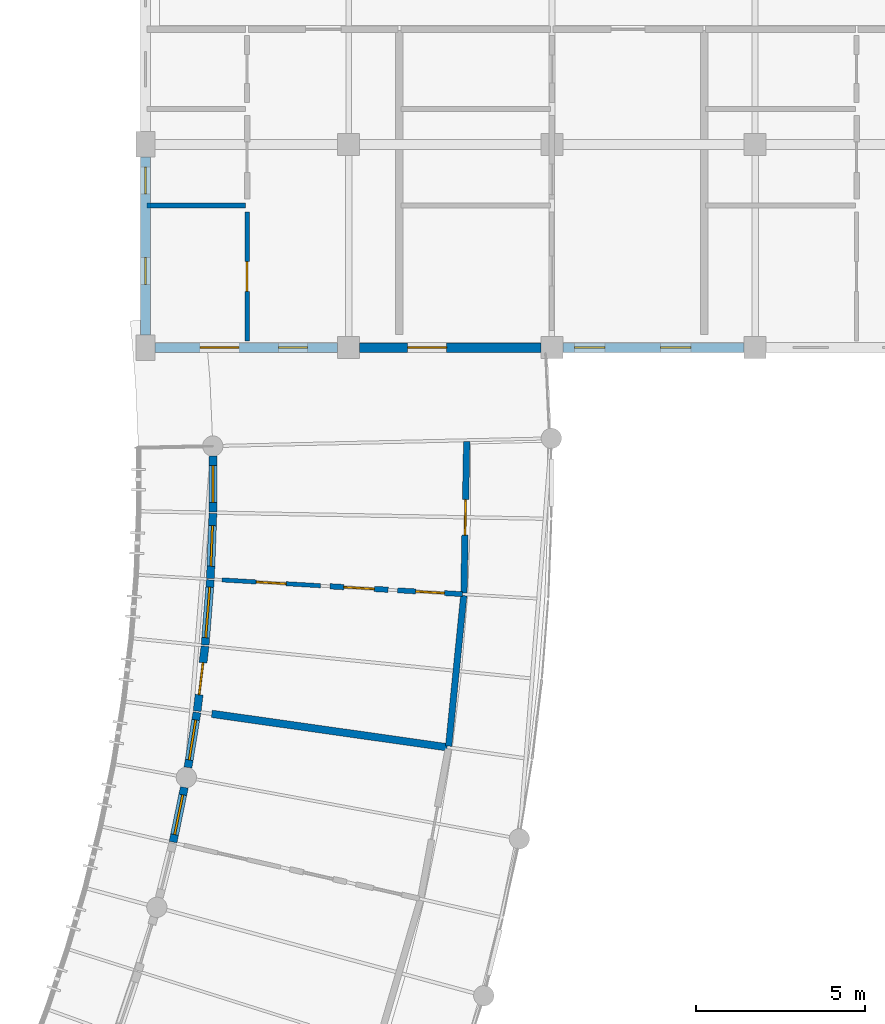
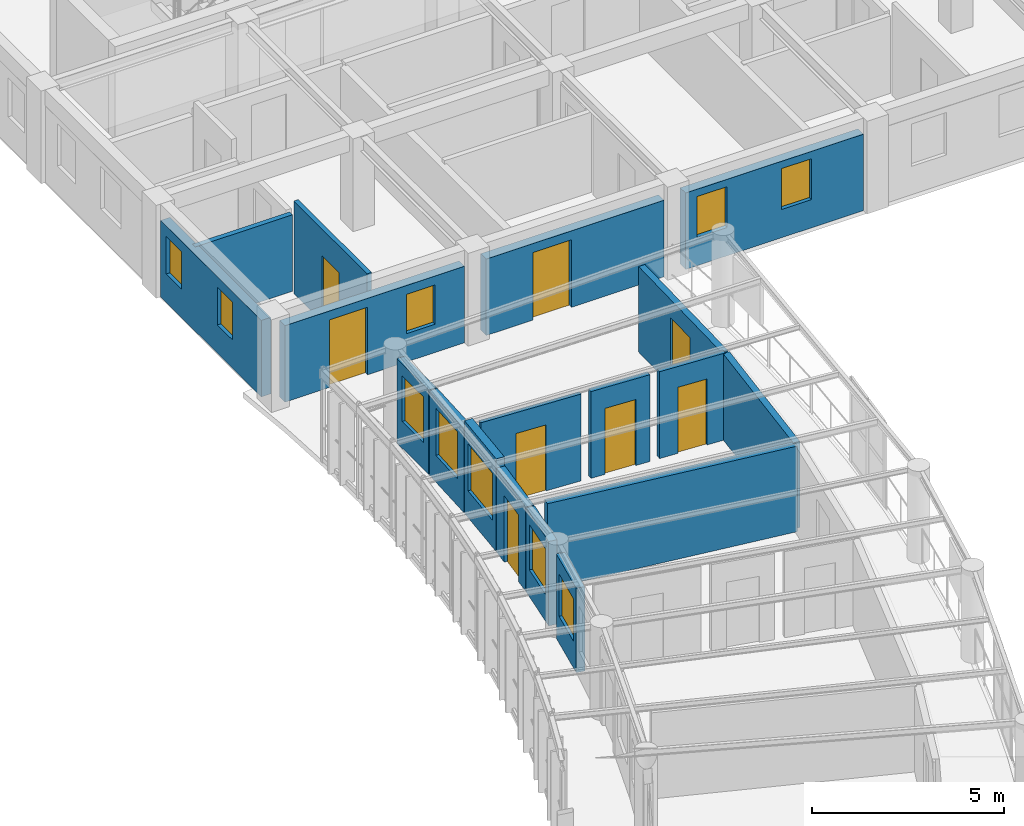
# One storey, part 67 of 100: 18 walls, 10 windows, 8 doors, 18 openings.
"""IFC4 building model written with IfcOpenShell, lengths in metres."""

from ifc_helpers import new_model, si_unit, direction, frame, frame_2d, origin, place, context, subcontext, project, spatial, rectangle, extrude, material, layer, layer_set, type_object, element, fill, save


model = new_model("IFC4")

# Units and contexts
model_context = context("Model", 3, precision=1e-05, world=origin(), true_north=direction((0.0, 1.0)))
body_context = subcontext(model_context, "Body", "Model", "MODEL_VIEW")
ifc_project = project(units=[si_unit("LENGTHUNIT", "METRE"), si_unit("AREAUNIT", "SQUARE_METRE"), si_unit("VOLUMEUNIT", "CUBIC_METRE"), si_unit("PLANEANGLEUNIT", "RADIAN"), si_unit("MASSUNIT", "GRAM", prefix="KILO"), si_unit("POWERUNIT", "WATT"), si_unit("THERMODYNAMICTEMPERATUREUNIT", "KELVIN")], contexts=[model_context])

# Site, building, storey
site_placement = place(None, origin())
site = spatial("IfcSite", under=ifc_project, at=site_placement, CompositionType="ELEMENT")
building_placement = place(site_placement, origin())
building = spatial("IfcBuilding", under=site, at=building_placement, Name="Ruvembo Vaulted Housing Court", CompositionType="ELEMENT")
storey_placement = place(building_placement, frame((0.0, 0.0, 14.10009765625)))
storey = spatial("IfcBuildingStorey", under=building, at=storey_placement, Name="L04", CompositionType="ELEMENT", Elevation=14.10009765625)

# Wall
ifc_material_1 = material(Name="Concrete Blockwork 190", Category="masonry")
ifc_layer_1 = layer(ifc_material_1, 0.18994140625, Name="Concrete Blockwork 190")
ifc_layer_set_1 = layer_set([ifc_layer_1], Name="Concrete Blockwork 190")
wall_type_1 = type_object("IfcWallType", Name="WL-CORR-190", PredefinedType="SOLIDWALL", material=ifc_layer_set_1)
wall_1_placement = place(storey_placement, frame((56.9521484375, 66.232421875, 0.0), z_axis=(0.0, 0.0, 1.0), x_axis=(0.099963674738, 0.994991087263, 0.0)))
element("IfcWall", 1, at=wall_1_placement, inside=storey, type_object=wall_type_1, Name="L04 Suite SC1-L04-U4 Gallery Wall WL-INT-L04-01305", PredefinedType="SOLIDWALL", context=body_context, shape_type="SweptSolid", body=[
    extrude(rectangle(XDim=4.467041015625, YDim=0.18994140625, at=frame_2d((2.2333984375, 0.0))), origin(), (0.0, 0.0, 1.0), 2.741943359375),
])

# Wall, opening, door
wall_2_placement = place(storey_placement, frame((57.403564453125, 70.7568359375, 0.0), z_axis=(0.0, 0.0, 1.0), x_axis=(0.018198680075, 0.999834390308, 0.0)))
wall_2 = element("IfcWall", 2, at=wall_2_placement, inside=storey, type_object=wall_type_1, Name="L04 Suite SC1-L04-U4 Entrance WL-INT-L04-01306", PredefinedType="SOLIDWALL", context=body_context, shape_type="SweptSolid", body=[
    extrude(rectangle(XDim=4.46728515625, YDim=0.18994140625, at=frame_2d((2.233642578125, 0.0))), origin(), (0.0, 0.0, 1.0), 2.721923828125),
])
opening_1_placement = place(wall_2_placement, frame((1.70849609375, 0.0, 0.0)))
opening_1 = element("IfcOpeningElement", 3, at=opening_1_placement, cuts=wall_2, Name="Opening FD3", PredefinedType="OPENING", context=body_context, shape_type="SweptSolid", body=[
    extrude(rectangle(XDim=1.050048828125, YDim=2.14990234375, at=frame_2d((0.52490234375, 1.074951171875))), frame((0.0, 0.10498046875, 0.0), z_axis=(0.0, -1.0, 0.0), x_axis=(1.0, 0.0, 0.0)), (0.0, 0.0, 1.0), 0.2099609375),
])
ifc_material_2 = material(Name="FSC Hardwood and Engineered Timber", Category="wood")
door_type_1 = type_object("IfcDoorType", Name="DR-FLAT-1050x2150", OperationType="NOTDEFINED", PredefinedType="DOOR", material=ifc_material_2)
door_1_placement = place(opening_1_placement, origin())
door_1 = element("IfcDoor", 4, at=door_1_placement, inside=storey, type_object=door_type_1, Name="L04 Suite SC1-L04-U4 Entrance Door DR-INT-L04-00728", OperationType="SINGLE_SWING_RIGHT", OverallHeight=2.14990234375, OverallWidth=1.050048828125, PredefinedType="DOOR", context=body_context, shape_type="SweptSolid", body=[
    extrude(rectangle(XDim=1.050048828125, YDim=2.14990234375, at=frame_2d((0.52490234375, 1.074951171875))), frame((0.0, 0.02490234375, 0.0), z_axis=(0.0, -1.0, 0.0), x_axis=(1.0, 0.0, 0.0)), (0.0, 0.0, 1.0), 0.050048828125),
])
fill(opening_1, door_1)

# Wall
ifc_material_3 = material(Name="Acoustic Masonry Demising 220", Category="masonry")
ifc_layer_2 = layer(ifc_material_3, 0.219970703125, Name="Acoustic Masonry Demising 220")
ifc_layer_set_2 = layer_set([ifc_layer_2], Name="Acoustic Masonry Demising 220")
wall_type_2 = type_object("IfcWallType", Name="WL-DEM-200", PredefinedType="SOLIDWALL", material=ifc_layer_set_2)
wall_3_placement = place(storey_placement, frame((49.958251953125, 67.185791015625, 0.0), z_axis=(0.0, 0.0, 1.0), x_axis=(0.990050789243, -0.140710464145, 0.0)))
element("IfcWall", 5, at=wall_3_placement, inside=storey, type_object=wall_type_2, Name="L04 Suite SC1-L04-U3 Demising WL-INT-L04-01304", PredefinedType="SOLIDWALL", context=body_context, shape_type="SweptSolid", body=[
    extrude(rectangle(XDim=7.02001953125, YDim=0.219970703125, at=frame_2d((3.510009765625, 0.0))), origin(), (0.0, 0.0, 1.0), 2.721923828125),
])

# Wall, opening, window
ifc_material_4 = material(Name="Rendered Masonry 235", Category="masonry")
ifc_layer_3 = layer(ifc_material_4, 0.235107421875, Name="Rendered Masonry 235")
ifc_layer_set_3 = layer_set([ifc_layer_3], Name="Rendered Masonry 235")
wall_type_3 = type_object("IfcWallType", Name="WL-EXT-235", PredefinedType="STANDARD", material=ifc_layer_set_3)
wall_4_placement = place(storey_placement, frame((48.814453125, 63.3994140625, 0.0), z_axis=(0.0, 0.0, 1.0), x_axis=(0.201188555682, 0.97955253308, 0.0)))
wall_4 = element("IfcWall", 6, at=wall_4_placement, inside=storey, type_object=wall_type_3, Name="Scoop SC1 L04 Concave Balcony Wall 13", PredefinedType="STANDARD", context=body_context, shape_type="SweptSolid", body=[
    extrude(rectangle(XDim=1.646728515625, YDim=0.235107421875, at=frame_2d((0.8232421875, 0.0))), origin(), (0.0, 0.0, 1.0), 2.683837890625),
])
opening_2_placement = place(wall_4_placement, frame((0.223388671875, 0.0, 0.85009765625)))
opening_2 = element("IfcOpeningElement", 7, at=opening_2_placement, cuts=wall_4, Name="Opening W12", PredefinedType="OPENING", context=body_context, shape_type="SweptSolid", body=[
    extrude(rectangle(XDim=1.199951171875, YDim=1.35009765625, at=frame_2d((0.60009765625, 0.675048828125))), frame((0.0, 0.12744140625, 0.0), z_axis=(0.0, -1.0, 0.0), x_axis=(1.0, 0.0, 0.0)), (0.0, 0.0, 1.0), 0.255126953125),
])
ifc_material_5 = material(Name="Double Solar-Control Glazing in Aluminium Frame", Category="aluminium")
window_type_1 = type_object("IfcWindowType", Name="WIN-1200x1350", PartitioningType="SINGLE_PANEL", PredefinedType="WINDOW", material=ifc_material_5)
window_1_placement = place(opening_2_placement, origin())
window_1 = element("IfcWindow", 8, at=window_1_placement, inside=storey, type_object=window_type_1, Name="Scoop SC1 L04 Concave Window 13", OverallHeight=1.35009765625, OverallWidth=1.199951171875, PartitioningType="SINGLE_PANEL", PredefinedType="WINDOW", context=body_context, shape_type="SweptSolid", body=[
    extrude(rectangle(XDim=1.199951171875, YDim=1.35009765625, at=frame_2d((0.60009765625, 0.675048828125))), frame((0.0, 0.030029296875, 0.0), z_axis=(0.0, -1.0, 0.0), x_axis=(1.0, 0.0, 0.0)), (0.0, 0.0, 1.0), 0.06005859375),
])
fill(opening_2, window_1)

wall_5_placement = place(storey_placement, frame((49.25439453125, 65.6025390625, 0.0), z_axis=(0.0, 0.0, 1.0), x_axis=(0.161008118798, 0.986953081803, 0.0)))
wall_5 = element("IfcWall", 9, at=wall_5_placement, inside=storey, type_object=wall_type_3, Name="Scoop SC1 L04 Concave Balcony Wall 14", PredefinedType="STANDARD", context=body_context, shape_type="SweptSolid", body=[
    extrude(rectangle(XDim=1.646728515625, YDim=0.235107421875, at=frame_2d((0.8232421875, 0.0))), origin(), (0.0, 0.0, 1.0), 2.683837890625),
])
opening_3_placement = place(wall_5_placement, frame((0.223388671875, 0.0, 0.85009765625)))
opening_3 = element("IfcOpeningElement", 10, at=opening_3_placement, cuts=wall_5, Name="Opening W13", PredefinedType="OPENING", context=body_context, shape_type="SweptSolid", body=[
    extrude(rectangle(XDim=1.199951171875, YDim=1.449951171875, at=frame_2d((0.60009765625, 0.72509765625))), frame((0.0, 0.12744140625, 0.0), z_axis=(0.0, -1.0, 0.0), x_axis=(1.0, 0.0, 0.0)), (0.0, 0.0, 1.0), 0.255126953125),
])
window_type_2 = type_object("IfcWindowType", Name="WIN-1200x1450", PartitioningType="SINGLE_PANEL", PredefinedType="WINDOW", material=ifc_material_5)
window_2_placement = place(opening_3_placement, origin())
window_2 = element("IfcWindow", 11, at=window_2_placement, inside=storey, type_object=window_type_2, Name="Scoop SC1 L04 Concave Window 14", OverallHeight=1.449951171875, OverallWidth=1.199951171875, PartitioningType="SINGLE_PANEL", PredefinedType="WINDOW", context=body_context, shape_type="SweptSolid", body=[
    extrude(rectangle(XDim=1.199951171875, YDim=1.449951171875, at=frame_2d((0.60009765625, 0.72509765625))), frame((0.0, 0.030029296875, 0.0), z_axis=(0.0, -1.0, 0.0), x_axis=(1.0, 0.0, 0.0)), (0.0, 0.0, 1.0), 0.06005859375),
])
fill(opening_3, window_2)

# Wall, opening, door
wall_6_placement = place(storey_placement, frame((49.525146484375, 67.267578125, 0.0), z_axis=(0.0, 0.0, 1.0), x_axis=(0.120384349076, 0.992727358592, 0.0)))
wall_6 = element("IfcWall", 12, at=wall_6_placement, inside=storey, type_object=wall_type_3, Name="Scoop SC1 L04 Concave Balcony Wall 15", PredefinedType="STANDARD", context=body_context, shape_type="SweptSolid", body=[
    extrude(rectangle(XDim=1.926513671875, YDim=0.235107421875, at=frame_2d((0.96337890625, 0.0))), origin(), (0.0, 0.0, 1.0), 2.683837890625),
])
opening_4_placement = place(wall_6_placement, frame((0.48828125, 0.0, 0.0)))
opening_4 = element("IfcOpeningElement", 13, at=opening_4_placement, cuts=wall_6, Name="Opening BD0", PredefinedType="OPENING", context=body_context, shape_type="SweptSolid", body=[
    extrude(rectangle(XDim=0.949951171875, YDim=2.1201171875, at=frame_2d((0.47509765625, 1.06005859375))), frame((0.0, 0.12744140625, 0.0), z_axis=(0.0, -1.0, 0.0), x_axis=(1.0, 0.0, 0.0)), (0.0, 0.0, 1.0), 0.255126953125),
])
ifc_material_6 = material(Name="Thermally Broken Glazed Aluminium", Category="aluminium")
door_type_2 = type_object("IfcDoorType", Name="DR-BAL-0950x2120", OperationType="NOTDEFINED", PredefinedType="DOOR", material=ifc_material_6)
door_2_placement = place(opening_4_placement, origin())
door_2 = element("IfcDoor", 14, at=door_2_placement, inside=storey, type_object=door_type_2, Name="Scoop SC1 L04 Balcony Door 15", OperationType="SINGLE_SWING_LEFT", OverallHeight=2.1201171875, OverallWidth=0.949951171875, PredefinedType="DOOR", context=body_context, shape_type="SweptSolid", body=[
    extrude(rectangle(XDim=0.949951171875, YDim=2.1201171875, at=frame_2d((0.47509765625, 1.06005859375))), frame((0.0, 0.02490234375, 0.0), z_axis=(0.0, -1.0, 0.0), x_axis=(1.0, 0.0, 0.0)), (0.0, 0.0, 1.0), 0.050048828125),
])
fill(opening_4, door_2)

# Wall, opening, window
wall_7_placement = place(storey_placement, frame((49.760986328125, 69.219970703125, 0.0), z_axis=(0.0, 0.0, 1.0), x_axis=(0.079573991137, 0.996828962227, 0.0)))
wall_7 = element("IfcWall", 15, at=wall_7_placement, inside=storey, type_object=wall_type_3, Name="Scoop SC1 L04 Concave Balcony Wall 16", PredefinedType="STANDARD", context=body_context, shape_type="SweptSolid", body=[
    extrude(rectangle(XDim=1.9267578125, YDim=0.235107421875, at=frame_2d((0.96337890625, 0.0))), origin(), (0.0, 0.0, 1.0), 2.947998046875),
])
opening_5_placement = place(wall_7_placement, frame((0.21337890625, 0.0, 0.85009765625)))
opening_5 = element("IfcOpeningElement", 16, at=opening_5_placement, cuts=wall_7, Name="Opening W19", PredefinedType="OPENING", context=body_context, shape_type="SweptSolid", body=[
    extrude(rectangle(XDim=1.5, YDim=1.5, at=frame_2d((0.75, 0.75))), frame((0.0, 0.12744140625, 0.0), z_axis=(0.0, -1.0, 0.0), x_axis=(1.0, 0.0, 0.0)), (0.0, 0.0, 1.0), 0.255126953125),
])
window_type_3 = type_object("IfcWindowType", Name="WIN-1500x1500", PartitioningType="SINGLE_PANEL", PredefinedType="WINDOW", material=ifc_material_5)
window_3_placement = place(opening_5_placement, origin())
window_3 = element("IfcWindow", 17, at=window_3_placement, inside=storey, type_object=window_type_3, Name="Scoop SC1 L04 Concave Window 16", OverallHeight=1.5, OverallWidth=1.5, PartitioningType="SINGLE_PANEL", PredefinedType="WINDOW", context=body_context, shape_type="SweptSolid", body=[
    extrude(rectangle(XDim=1.5, YDim=1.5, at=frame_2d((0.75, 0.75))), frame((0.0, 0.030029296875, 0.0), z_axis=(0.0, -1.0, 0.0), x_axis=(1.0, 0.0, 0.0)), (0.0, 0.0, 1.0), 0.06005859375),
])
fill(opening_5, window_3)

wall_8_placement = place(storey_placement, frame((49.916748046875, 71.1806640625, 0.0), z_axis=(0.0, 0.0, 1.0), x_axis=(0.038647240614, 0.999252916329, 0.0)))
wall_8 = element("IfcWall", 18, at=wall_8_placement, inside=storey, type_object=wall_type_3, Name="Scoop SC1 L04 Concave Balcony Wall 17", PredefinedType="STANDARD", context=body_context, shape_type="SweptSolid", body=[
    extrude(rectangle(XDim=1.9267578125, YDim=0.235107421875, at=frame_2d((0.96337890625, 0.0))), origin(), (0.0, 0.0, 1.0), 2.683837890625),
])
opening_6_placement = place(wall_8_placement, frame((0.36328125, 0.0, 0.85009765625)))
opening_6 = element("IfcOpeningElement", 19, at=opening_6_placement, cuts=wall_8, Name="Opening W14", PredefinedType="OPENING", context=body_context, shape_type="SweptSolid", body=[
    extrude(rectangle(XDim=1.199951171875, YDim=1.5, at=frame_2d((0.60009765625, 0.75))), frame((0.0, 0.12744140625, 0.0), z_axis=(0.0, -1.0, 0.0), x_axis=(1.0, 0.0, 0.0)), (0.0, 0.0, 1.0), 0.255126953125),
])
window_type_4 = type_object("IfcWindowType", Name="WIN-1200x1500", PartitioningType="SINGLE_PANEL", PredefinedType="WINDOW", material=ifc_material_5)
window_4_placement = place(opening_6_placement, origin())
window_4 = element("IfcWindow", 20, at=window_4_placement, inside=storey, type_object=window_type_4, Name="Scoop SC1 L04 Concave Window 17", OverallHeight=1.5, OverallWidth=1.199951171875, PartitioningType="SINGLE_PANEL", PredefinedType="WINDOW", context=body_context, shape_type="SweptSolid", body=[
    extrude(rectangle(XDim=1.199951171875, YDim=1.5, at=frame_2d((0.60009765625, 0.75))), frame((0.0, 0.030029296875, 0.0), z_axis=(0.0, -1.0, 0.0), x_axis=(1.0, 0.0, 0.0)), (0.0, 0.0, 1.0), 0.06005859375),
])
fill(opening_6, window_4)

wall_9_placement = place(storey_placement, frame((49.991943359375, 73.14599609375, 0.0), z_axis=(0.0, 0.0, 1.0), x_axis=(-0.002224193787, 0.999997526478, 0.0)))
wall_9 = element("IfcWall", 21, at=wall_9_placement, inside=storey, type_object=wall_type_3, Name="Scoop SC1 L04 Concave Balcony Wall 18", PredefinedType="STANDARD", context=body_context, shape_type="SweptSolid", body=[
    extrude(rectangle(XDim=1.646484375, YDim=0.235107421875, at=frame_2d((0.8232421875, 0.0))), origin(), (0.0, 0.0, 1.0), 2.683837890625),
])
opening_7_placement = place(wall_9_placement, frame((0.2734375, 0.0, 0.85009765625)))
opening_7 = element("IfcOpeningElement", 22, at=opening_7_placement, cuts=wall_9, Name="Opening W10", PredefinedType="OPENING", context=body_context, shape_type="SweptSolid", body=[
    extrude(rectangle(XDim=1.10009765625, YDim=1.449951171875, at=frame_2d((0.550048828125, 0.72509765625))), frame((0.0, 0.12744140625, 0.0), z_axis=(0.0, -1.0, 0.0), x_axis=(1.0, 0.0, 0.0)), (0.0, 0.0, 1.0), 0.255126953125),
])
window_type_5 = type_object("IfcWindowType", Name="WIN-1100x1450", PartitioningType="SINGLE_PANEL", PredefinedType="WINDOW", material=ifc_material_5)
window_5_placement = place(opening_7_placement, origin())
window_5 = element("IfcWindow", 23, at=window_5_placement, inside=storey, type_object=window_type_5, Name="Scoop SC1 L04 Concave Window 18", OverallHeight=1.449951171875, OverallWidth=1.10009765625, PartitioningType="SINGLE_PANEL", PredefinedType="WINDOW", context=body_context, shape_type="SweptSolid", body=[
    extrude(rectangle(XDim=1.10009765625, YDim=1.449951171875, at=frame_2d((0.550048828125, 0.72509765625))), frame((0.0, 0.030029296875, 0.0), z_axis=(0.0, -1.0, 0.0), x_axis=(1.0, 0.0, 0.0)), (0.0, 0.0, 1.0), 0.06005859375),
])
fill(opening_7, window_5)

# Wall, openings, door, window
ifc_material_7 = material(Name="Rendered Masonry 285", Category="masonry")
ifc_layer_4 = layer(ifc_material_7, 0.284912109375, Name="Rendered Masonry 285")
ifc_layer_set_4 = layer_set([ifc_layer_4], Name="Rendered Masonry 285")
wall_type_4 = type_object("IfcWallType", Name="WL-EXT-285", PredefinedType="STANDARD", material=ifc_layer_set_4)
wall_10_placement = place(storey_placement, frame((48.27490234375, 78.0, 0.0), z_axis=(0.0, 0.0, 1.0), x_axis=(1.0, 0.0, 0.0)))
wall_10 = element("IfcWall", 24, at=wall_10_placement, inside=storey, type_object=wall_type_4, Name="Block B L04 Exterior Wall COURTYARD #1", PredefinedType="STANDARD", context=body_context, shape_type="SweptSolid", body=[
    extrude(rectangle(XDim=5.400146484375, YDim=0.284912109375, at=frame_2d((2.7001953125, 0.0))), origin(), (0.0, 0.0, 1.0), 2.431884765625),
])
opening_8_placement = place(wall_10_placement, frame((1.3349609375, 0.0, 0.0)))
opening_8 = element("IfcOpeningElement", 25, at=opening_8_placement, cuts=wall_10, Name="Opening GD1", PredefinedType="OPENING", context=body_context, shape_type="SweptSolid", body=[
    extrude(rectangle(XDim=1.14990234375, YDim=2.14990234375, at=frame_2d((0.574951171875, 1.074951171875))), frame((0.0, 0.15234375, 0.0), z_axis=(0.0, -1.0, 0.0), x_axis=(1.0, 0.0, 0.0)), (0.0, 0.0, 1.0), 0.304931640625),
])
opening_9_placement = place(wall_10_placement, frame((3.657470703125, 0.0, 0.89990234375)))
opening_9 = element("IfcOpeningElement", 26, at=opening_9_placement, cuts=wall_10, Name="Opening W03", PredefinedType="OPENING", context=body_context, shape_type="SweptSolid", body=[
    extrude(rectangle(XDim=0.85009765625, YDim=1.25, at=frame_2d((0.425048828125, 0.625))), frame((0.0, 0.15234375, 0.0), z_axis=(0.0, -1.0, 0.0), x_axis=(1.0, 0.0, 0.0)), (0.0, 0.0, 1.0), 0.304931640625),
])
door_type_3 = type_object("IfcDoorType", Name="DR-GAL-1150x2150", OperationType="NOTDEFINED", PredefinedType="DOOR", material=ifc_material_6)
door_3_placement = place(opening_8_placement, frame((1.14990234375, 0.0, 0.0), z_axis=(0.0, 0.0, 1.0), x_axis=(-1.0, 0.0, 0.0)))
door_3 = element("IfcDoor", 27, at=door_3_placement, inside=storey, type_object=door_type_3, Name="Block B L04 Terrace or Gallery Door DR-TER-B-L04-039", OperationType="SINGLE_SWING_RIGHT", OverallHeight=2.14990234375, OverallWidth=1.14990234375, PredefinedType="DOOR", context=body_context, shape_type="SweptSolid", body=[
    extrude(rectangle(XDim=1.14990234375, YDim=2.14990234375, at=frame_2d((0.574951171875, 1.074951171875))), frame((0.0, 0.02490234375, 0.0), z_axis=(0.0, -1.0, 0.0), x_axis=(1.0, 0.0, 0.0)), (0.0, 0.0, 1.0), 0.050048828125),
])
fill(opening_8, door_3)
window_type_6 = type_object("IfcWindowType", Name="WIN-0850x1250", PartitioningType="SINGLE_PANEL", PredefinedType="WINDOW", material=ifc_material_5)
window_6_placement = place(opening_9_placement, origin())
window_6 = element("IfcWindow", 28, at=window_6_placement, inside=storey, type_object=window_type_6, Name="Block B L04 Window #769", OverallHeight=1.25, OverallWidth=0.85009765625, PartitioningType="SINGLE_PANEL", PredefinedType="WINDOW", context=body_context, shape_type="SweptSolid", body=[
    extrude(rectangle(XDim=0.85009765625, YDim=1.25, at=frame_2d((0.425048828125, 0.625))), frame((0.0, 0.030029296875, 0.0), z_axis=(0.0, -1.0, 0.0), x_axis=(1.0, 0.0, 0.0)), (0.0, 0.0, 1.0), 0.06005859375),
])
fill(opening_9, window_6)

# Wall, opening, door
wall_11_placement = place(storey_placement, frame((54.324951171875, 78.0, 0.0), z_axis=(0.0, 0.0, 1.0), x_axis=(1.0, 0.0, 0.0)))
wall_11 = element("IfcWall", 29, at=wall_11_placement, inside=storey, type_object=wall_type_4, Name="Block B L04 Exterior Wall COURTYARD #2", PredefinedType="STANDARD", context=body_context, shape_type="SweptSolid", body=[
    extrude(rectangle(XDim=5.35009765625, YDim=0.284912109375, at=frame_2d((2.675048828125, 0.0))), origin(), (0.0, 0.0, 1.0), 2.431884765625),
])
opening_10_placement = place(wall_11_placement, frame((1.4150390625, 0.0, 0.0)))
opening_10 = element("IfcOpeningElement", 30, at=opening_10_placement, cuts=wall_11, Name="Opening GD1", PredefinedType="OPENING", context=body_context, shape_type="SweptSolid", body=[
    extrude(rectangle(XDim=1.14990234375, YDim=2.14990234375, at=frame_2d((0.574951171875, 1.074951171875))), frame((0.0, 0.15234375, 0.0), z_axis=(0.0, -1.0, 0.0), x_axis=(1.0, 0.0, 0.0)), (0.0, 0.0, 1.0), 0.304931640625),
])
door_4_placement = place(opening_10_placement, frame((1.14990234375, 0.0, 0.0), z_axis=(0.0, 0.0, 1.0), x_axis=(-1.0, 0.0, 0.0)))
door_4 = element("IfcDoor", 31, at=door_4_placement, inside=storey, type_object=door_type_3, Name="Block B L04 Terrace or Gallery Door DR-TER-B-L04-040", OperationType="SINGLE_SWING_LEFT", OverallHeight=2.14990234375, OverallWidth=1.14990234375, PredefinedType="DOOR", context=body_context, shape_type="SweptSolid", body=[
    extrude(rectangle(XDim=1.14990234375, YDim=2.14990234375, at=frame_2d((0.574951171875, 1.074951171875))), frame((0.0, 0.02490234375, 0.0), z_axis=(0.0, -1.0, 0.0), x_axis=(1.0, 0.0, 0.0)), (0.0, 0.0, 1.0), 0.050048828125),
])
fill(opening_10, door_4)

# Wall, openings, windows
wall_12_placement = place(storey_placement, frame((60.324951171875, 78.0, 0.0), z_axis=(0.0, 0.0, 1.0), x_axis=(1.0, 0.0, 0.0)))
wall_12 = element("IfcWall", 32, at=wall_12_placement, inside=storey, type_object=wall_type_4, Name="Block B L04 Exterior Wall COURTYARD #3", PredefinedType="STANDARD", context=body_context, shape_type="SweptSolid", body=[
    extrude(rectangle(XDim=5.35009765625, YDim=0.284912109375, at=frame_2d((2.675048828125, 0.0))), origin(), (0.0, 0.0, 1.0), 2.431884765625),
])
opening_11_placement = place(wall_12_placement, frame((0.35009765625, 0.0, 0.89990234375)))
opening_11 = element("IfcOpeningElement", 33, at=opening_11_placement, cuts=wall_12, Name="Opening W04", PredefinedType="OPENING", context=body_context, shape_type="SweptSolid", body=[
    extrude(rectangle(XDim=0.89990234375, YDim=1.300048828125, at=frame_2d((0.449951171875, 0.64990234375))), frame((0.0, 0.15234375, 0.0), z_axis=(0.0, -1.0, 0.0), x_axis=(1.0, 0.0, 0.0)), (0.0, 0.0, 1.0), 0.304931640625),
])
opening_12_placement = place(wall_12_placement, frame((2.885009765625, 0.0, 0.89990234375)))
opening_12 = element("IfcOpeningElement", 34, at=opening_12_placement, cuts=wall_12, Name="Opening W04", PredefinedType="OPENING", context=body_context, shape_type="SweptSolid", body=[
    extrude(rectangle(XDim=0.89990234375, YDim=1.300048828125, at=frame_2d((0.449951171875, 0.64990234375))), frame((0.0, 0.15234375, 0.0), z_axis=(0.0, -1.0, 0.0), x_axis=(1.0, 0.0, 0.0)), (0.0, 0.0, 1.0), 0.304931640625),
])
window_type_7 = type_object("IfcWindowType", Name="WIN-0900x1300", PartitioningType="SINGLE_PANEL", PredefinedType="WINDOW", material=ifc_material_5)
window_7_placement = place(opening_11_placement, origin())
window_7 = element("IfcWindow", 35, at=window_7_placement, inside=storey, type_object=window_type_7, Name="Block B L04 Window #770", OverallHeight=1.300048828125, OverallWidth=0.89990234375, PartitioningType="SINGLE_PANEL", PredefinedType="WINDOW", context=body_context, shape_type="SweptSolid", body=[
    extrude(rectangle(XDim=0.89990234375, YDim=1.300048828125, at=frame_2d((0.449951171875, 0.64990234375))), frame((0.0, 0.030029296875, 0.0), z_axis=(0.0, -1.0, 0.0), x_axis=(1.0, 0.0, 0.0)), (0.0, 0.0, 1.0), 0.06005859375),
])
fill(opening_11, window_7)
window_8_placement = place(opening_12_placement, origin())
window_8 = element("IfcWindow", 36, at=window_8_placement, inside=storey, type_object=window_type_7, Name="Block B L04 Window #771", OverallHeight=1.300048828125, OverallWidth=0.89990234375, PartitioningType="SINGLE_PANEL", PredefinedType="WINDOW", context=body_context, shape_type="SweptSolid", body=[
    extrude(rectangle(XDim=0.89990234375, YDim=1.300048828125, at=frame_2d((0.449951171875, 0.64990234375))), frame((0.0, 0.030029296875, 0.0), z_axis=(0.0, -1.0, 0.0), x_axis=(1.0, 0.0, 0.0)), (0.0, 0.0, 1.0), 0.06005859375),
])
fill(opening_12, window_8)

wall_13_placement = place(storey_placement, frame((48.0, 83.625, 0.0), z_axis=(0.0, 0.0, 1.0), x_axis=(0.0, -1.0, 0.0)))
wall_13 = element("IfcWall", 37, at=wall_13_placement, inside=storey, type_object=wall_type_4, Name="Block B L04 Exterior Wall WEST #6", PredefinedType="STANDARD", context=body_context, shape_type="SweptSolid", body=[
    extrude(rectangle(XDim=5.25, YDim=0.284912109375, at=frame_2d((2.625, 0.0))), origin(), (0.0, 0.0, 1.0), 2.431884765625),
])
opening_13_placement = place(wall_13_placement, frame((0.29248046875, 0.0, 0.89990234375)))
opening_13 = element("IfcOpeningElement", 38, at=opening_13_placement, cuts=wall_13, Name="Opening W02", PredefinedType="OPENING", context=body_context, shape_type="SweptSolid", body=[
    extrude(rectangle(XDim=0.800048828125, YDim=1.199951171875, at=frame_2d((0.39990234375, 0.60009765625))), frame((0.0, 0.15234375, 0.0), z_axis=(0.0, -1.0, 0.0), x_axis=(1.0, 0.0, 0.0)), (0.0, 0.0, 1.0), 0.304931640625),
])
opening_14_placement = place(wall_13_placement, frame((2.95751953125, 0.0, 0.89990234375)))
opening_14 = element("IfcOpeningElement", 39, at=opening_14_placement, cuts=wall_13, Name="Opening W02", PredefinedType="OPENING", context=body_context, shape_type="SweptSolid", body=[
    extrude(rectangle(XDim=0.800048828125, YDim=1.199951171875, at=frame_2d((0.39990234375, 0.60009765625))), frame((0.0, 0.15234375, 0.0), z_axis=(0.0, -1.0, 0.0), x_axis=(1.0, 0.0, 0.0)), (0.0, 0.0, 1.0), 0.304931640625),
])
window_type_8 = type_object("IfcWindowType", Name="WIN-0800x1200", PartitioningType="SINGLE_PANEL", PredefinedType="WINDOW", material=ifc_material_5)
window_9_placement = place(opening_13_placement, origin())
window_9 = element("IfcWindow", 40, at=window_9_placement, inside=storey, type_object=window_type_8, Name="Block B L04 Window #809", OverallHeight=1.199951171875, OverallWidth=0.800048828125, PartitioningType="SINGLE_PANEL", PredefinedType="WINDOW", context=body_context, shape_type="SweptSolid", body=[
    extrude(rectangle(XDim=0.800048828125, YDim=1.199951171875, at=frame_2d((0.39990234375, 0.60009765625))), frame((0.0, 0.030029296875, 0.0), z_axis=(0.0, -1.0, 0.0), x_axis=(1.0, 0.0, 0.0)), (0.0, 0.0, 1.0), 0.06005859375),
])
fill(opening_13, window_9)
window_10_placement = place(opening_14_placement, origin())
window_10 = element("IfcWindow", 41, at=window_10_placement, inside=storey, type_object=window_type_8, Name="Block B L04 Window #810", OverallHeight=1.199951171875, OverallWidth=0.800048828125, PartitioningType="SINGLE_PANEL", PredefinedType="WINDOW", context=body_context, shape_type="SweptSolid", body=[
    extrude(rectangle(XDim=0.800048828125, YDim=1.199951171875, at=frame_2d((0.39990234375, 0.60009765625))), frame((0.0, 0.030029296875, 0.0), z_axis=(0.0, -1.0, 0.0), x_axis=(1.0, 0.0, 0.0)), (0.0, 0.0, 1.0), 0.06005859375),
])
fill(opening_14, window_10)

# Wall, opening, door
ifc_material_8 = material(Name="Plasterboard Stud Partition 125", Category="gypsum")
ifc_layer_5 = layer(ifc_material_8, 0.125, Name="Plasterboard Stud Partition 125")
ifc_layer_set_5 = layer_set([ifc_layer_5], Name="Plasterboard Stud Partition 125")
wall_type_5 = type_object("IfcWallType", Name="WL-PART-125", PredefinedType="PARTITIONING", material=ifc_layer_set_5)
wall_14_placement = place(storey_placement, frame((50.25537109375, 71.140380859375, 0.0), z_axis=(0.0, 0.0, 1.0), x_axis=(0.998251230611, -0.05911413184, 0.0)))
wall_14 = element("IfcWall", 42, at=wall_14_placement, inside=storey, type_object=wall_type_5, Name="L04 Suite SC1-L04-U4 Bedroom WL-INT-L04-01307", PredefinedType="PARTITIONING", context=body_context, shape_type="SweptSolid", body=[
    extrude(rectangle(XDim=2.919921875, YDim=0.125, at=frame_2d((1.4599609375, 0.0))), origin(), (0.0, 0.0, 1.0), 2.761962890625),
])
opening_15_placement = place(wall_14_placement, frame((1.02001953125, 0.0, 0.0)))
opening_15 = element("IfcOpeningElement", 43, at=opening_15_placement, cuts=wall_14, Name="Opening ID3", PredefinedType="OPENING", context=body_context, shape_type="SweptSolid", body=[
    extrude(rectangle(XDim=0.8798828125, YDim=2.10009765625, at=frame_2d((0.43994140625, 1.050048828125))), frame((0.0, 0.072509765625, 0.0), z_axis=(0.0, -1.0, 0.0), x_axis=(1.0, 0.0, 0.0)), (0.0, 0.0, 1.0), 0.14501953125),
])
door_type_4 = type_object("IfcDoorType", Name="DR-ROOM-0880x2100", OperationType="NOTDEFINED", PredefinedType="DOOR", material=ifc_material_2)
door_5_placement = place(opening_15_placement, origin())
door_5 = element("IfcDoor", 44, at=door_5_placement, inside=storey, type_object=door_type_4, Name="L04 Suite SC1-L04-U4 Bedroom Door DR-INT-L04-00729", OperationType="SINGLE_SWING_LEFT", OverallHeight=2.10009765625, OverallWidth=0.8798828125, PredefinedType="DOOR", context=body_context, shape_type="SweptSolid", body=[
    extrude(rectangle(XDim=0.8798828125, YDim=2.10009765625, at=frame_2d((0.43994140625, 1.050048828125))), frame((0.0, 0.02490234375, 0.0), z_axis=(0.0, -1.0, 0.0), x_axis=(1.0, 0.0, 0.0)), (0.0, 0.0, 1.0), 0.050048828125),
])
fill(opening_15, door_5)

ifc_material_9 = material(Name="Acoustic Stud Partition 135", Category="gypsum")
ifc_layer_6 = layer(ifc_material_9, 0.135009765625, Name="Acoustic Stud Partition 135")
ifc_layer_set_6 = layer_set([ifc_layer_6], Name="Acoustic Stud Partition 135")
wall_type_6 = type_object("IfcWallType", Name="WL-PART-135", PredefinedType="PARTITIONING", material=ifc_layer_set_6)
wall_15_placement = place(storey_placement, frame((51.0, 78.18994140625, 0.0), z_axis=(0.0, 0.0, 1.0), x_axis=(0.0, 1.0, 0.0)))
wall_15 = element("IfcWall", 45, at=wall_15_placement, inside=storey, type_object=wall_type_6, Name="L04 Flat B-L04-S1 Bedroom 1 WL-INT-L04-01140", PredefinedType="PARTITIONING", context=body_context, shape_type="SweptSolid", body=[
    extrude(rectangle(XDim=3.820068359375, YDim=0.135009765625, at=frame_2d((1.91015625, 0.0))), origin(), (0.0, 0.0, 1.0), 2.949951171875),
])
opening_16_placement = place(wall_15_placement, frame((1.469970703125, 0.0, 0.0)))
opening_16 = element("IfcOpeningElement", 46, at=opening_16_placement, cuts=wall_15, Name="Opening ID3", PredefinedType="OPENING", context=body_context, shape_type="SweptSolid", body=[
    extrude(rectangle(XDim=0.8798828125, YDim=2.10009765625, at=frame_2d((0.43994140625, 1.050048828125))), frame((0.0, 0.077392578125, 0.0), z_axis=(0.0, -1.0, 0.0), x_axis=(1.0, 0.0, 0.0)), (0.0, 0.0, 1.0), 0.155029296875),
])
door_6_placement = place(opening_16_placement, origin())
door_6 = element("IfcDoor", 47, at=door_6_placement, inside=storey, type_object=door_type_4, Name="L04 Flat B-L04-S1 Bedroom 1 Door DR-INT-L04-00639", OperationType="SINGLE_SWING_LEFT", OverallHeight=2.10009765625, OverallWidth=0.8798828125, PredefinedType="DOOR", context=body_context, shape_type="SweptSolid", body=[
    extrude(rectangle(XDim=0.8798828125, YDim=2.10009765625, at=frame_2d((0.43994140625, 1.050048828125))), frame((0.0, 0.02490234375, 0.0), z_axis=(0.0, -1.0, 0.0), x_axis=(1.0, 0.0, 0.0)), (0.0, 0.0, 1.0), 0.050048828125),
])
fill(opening_16, door_6)

# Wall
ifc_material_10 = material(Name="Moisture-Resistant Wet Partition 150", Category="gypsum")
ifc_layer_7 = layer(ifc_material_10, 0.14990234375, Name="Moisture-Resistant Wet Partition 150")
ifc_layer_set_7 = layer_set([ifc_layer_7], Name="Moisture-Resistant Wet Partition 150")
wall_type_7 = type_object("IfcWallType", Name="WL-PART-150", PredefinedType="PARTITIONING", material=ifc_layer_set_7)
wall_16_placement = place(storey_placement, frame((48.0400390625, 82.199951171875, 0.0), z_axis=(0.0, 0.0, 1.0), x_axis=(1.0, 0.0, 0.0)))
element("IfcWall", 48, at=wall_16_placement, inside=storey, type_object=wall_type_7, Name="L04 Flat B-L04-S1 Wet Wall 1 WL-INT-L04-01143", PredefinedType="PARTITIONING", context=body_context, shape_type="SweptSolid", body=[
    extrude(rectangle(XDim=2.919921875, YDim=0.14990234375, at=frame_2d((1.4599609375, 0.0))), origin(), (0.0, 0.0, 1.0), 2.431884765625),
])

# Wall, opening, door
wall_17_placement = place(storey_placement, frame((55.4462890625, 70.832763671875, 0.0), z_axis=(0.0, 0.0, 1.0), x_axis=(0.998250171361, -0.05913201652, 0.0)))
wall_17 = element("IfcWall", 49, at=wall_17_placement, inside=storey, type_object=wall_type_7, Name="L04 Suite SC1-L04-U4 Bathroom WL-INT-L04-01309", PredefinedType="PARTITIONING", context=body_context, shape_type="SweptSolid", body=[
    extrude(rectangle(XDim=1.919921875, YDim=0.14990234375, at=frame_2d((0.9599609375, 0.0))), origin(), (0.0, 0.0, 1.0), 2.761962890625),
])
opening_17_placement = place(wall_17_placement, frame((0.534912109375, 0.0, 0.0)))
opening_17 = element("IfcOpeningElement", 50, at=opening_17_placement, cuts=wall_17, Name="Opening ID2", PredefinedType="OPENING", context=body_context, shape_type="SweptSolid", body=[
    extrude(rectangle(XDim=0.85009765625, YDim=2.10009765625, at=frame_2d((0.425048828125, 1.050048828125))), frame((0.0, 0.0849609375, 0.0), z_axis=(0.0, -1.0, 0.0), x_axis=(1.0, 0.0, 0.0)), (0.0, 0.0, 1.0), 0.169921875),
])
door_type_5 = type_object("IfcDoorType", Name="DR-WET-0850x2100", OperationType="NOTDEFINED", PredefinedType="DOOR", material=ifc_material_2)
door_7_placement = place(opening_17_placement, origin())
door_7 = element("IfcDoor", 51, at=door_7_placement, inside=storey, type_object=door_type_5, Name="L04 Suite SC1-L04-U4 Bathroom Door DR-INT-L04-00731", OperationType="SINGLE_SWING_LEFT", OverallHeight=2.10009765625, OverallWidth=0.85009765625, PredefinedType="DOOR", context=body_context, shape_type="SweptSolid", body=[
    extrude(rectangle(XDim=0.85009765625, YDim=2.10009765625, at=frame_2d((0.425048828125, 1.050048828125))), frame((0.0, 0.02490234375, 0.0), z_axis=(0.0, -1.0, 0.0), x_axis=(1.0, 0.0, 0.0)), (0.0, 0.0, 1.0), 0.050048828125),
])
fill(opening_17, door_7)

ifc_material_11 = material(Name="Acoustic Service Chase Wall 160", Category="gypsum")
ifc_layer_8 = layer(ifc_material_11, 0.159912109375, Name="Acoustic Service Chase Wall 160")
ifc_layer_set_8 = layer_set([ifc_layer_8], Name="Acoustic Service Chase Wall 160")
wall_type_8 = type_object("IfcWallType", Name="WL-PLUMB-160", PredefinedType="PLUMBINGWALL", material=ifc_layer_set_8)
wall_18_placement = place(storey_placement, frame((53.44970703125, 70.951171875, 0.0), z_axis=(0.0, 0.0, 1.0), x_axis=(0.998255232119, -0.059046520199, 0.0)))
wall_18 = element("IfcWall", 52, at=wall_18_placement, inside=storey, type_object=wall_type_8, Name="L04 Suite SC1-L04-U4 Kitchen WL-INT-L04-01308", PredefinedType="PLUMBINGWALL", context=body_context, shape_type="SweptSolid", body=[
    extrude(rectangle(XDim=1.719970703125, YDim=0.159912109375, at=frame_2d((0.85986328125, 0.0))), origin(), (0.0, 0.0, 1.0), 2.761962890625),
])
opening_18_placement = place(wall_18_placement, frame((0.409912109375, 0.0, 0.0)))
opening_18 = element("IfcOpeningElement", 53, at=opening_18_placement, cuts=wall_18, Name="Opening ID1", PredefinedType="OPENING", context=body_context, shape_type="SweptSolid", body=[
    extrude(rectangle(XDim=0.89990234375, YDim=2.10009765625, at=frame_2d((0.449951171875, 1.050048828125))), frame((0.0, 0.08984375, 0.0), z_axis=(0.0, -1.0, 0.0), x_axis=(1.0, 0.0, 0.0)), (0.0, 0.0, 1.0), 0.179931640625),
])
door_type_6 = type_object("IfcDoorType", Name="DR-ROOM-0900x2100", OperationType="NOTDEFINED", PredefinedType="DOOR", material=ifc_material_2)
door_8_placement = place(opening_18_placement, origin())
door_8 = element("IfcDoor", 54, at=door_8_placement, inside=storey, type_object=door_type_6, Name="L04 Suite SC1-L04-U4 Kitchen Door DR-INT-L04-00730", OperationType="SINGLE_SWING_RIGHT", OverallHeight=2.10009765625, OverallWidth=0.89990234375, PredefinedType="DOOR", context=body_context, shape_type="SweptSolid", body=[
    extrude(rectangle(XDim=0.89990234375, YDim=2.10009765625, at=frame_2d((0.449951171875, 1.050048828125))), frame((0.0, 0.02490234375, 0.0), z_axis=(0.0, -1.0, 0.0), x_axis=(1.0, 0.0, 0.0)), (0.0, 0.0, 1.0), 0.050048828125),
])
fill(opening_18, door_8)

save(model, "model.ifc")
